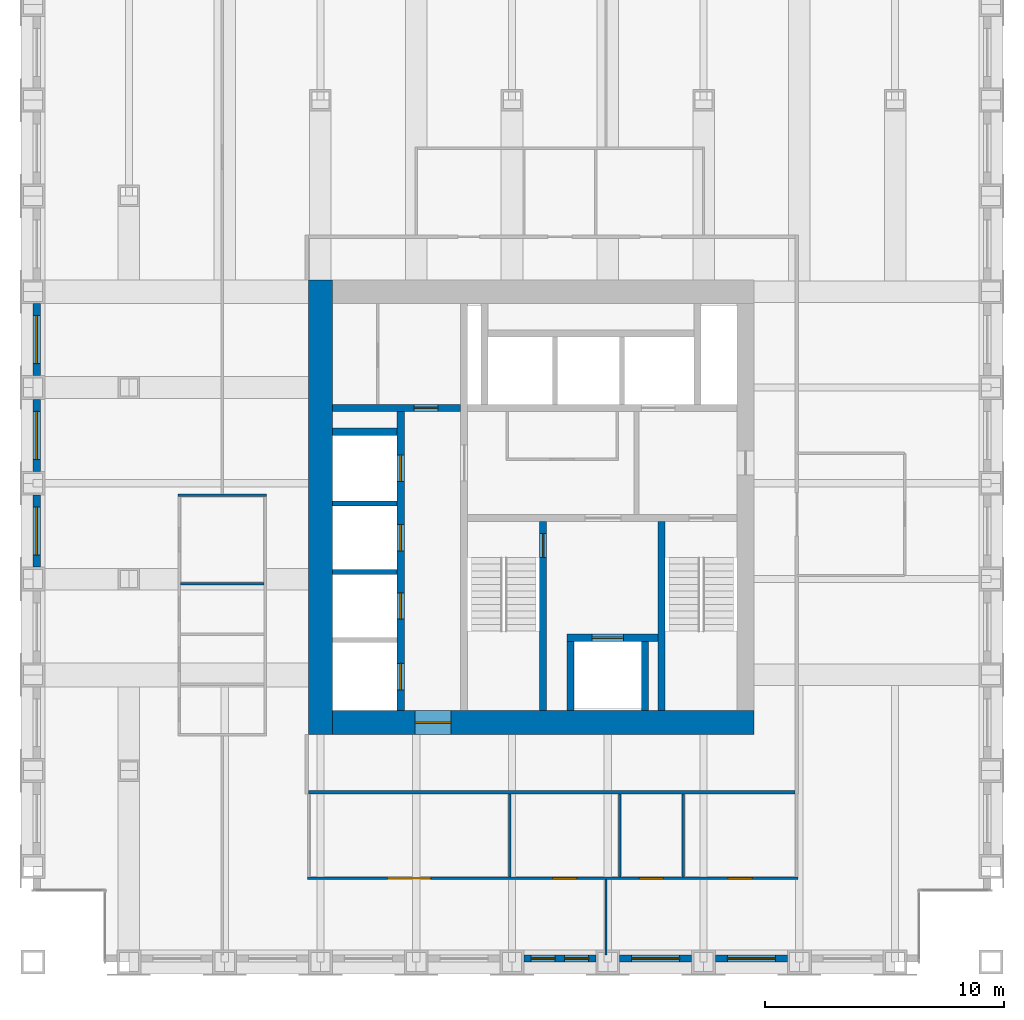
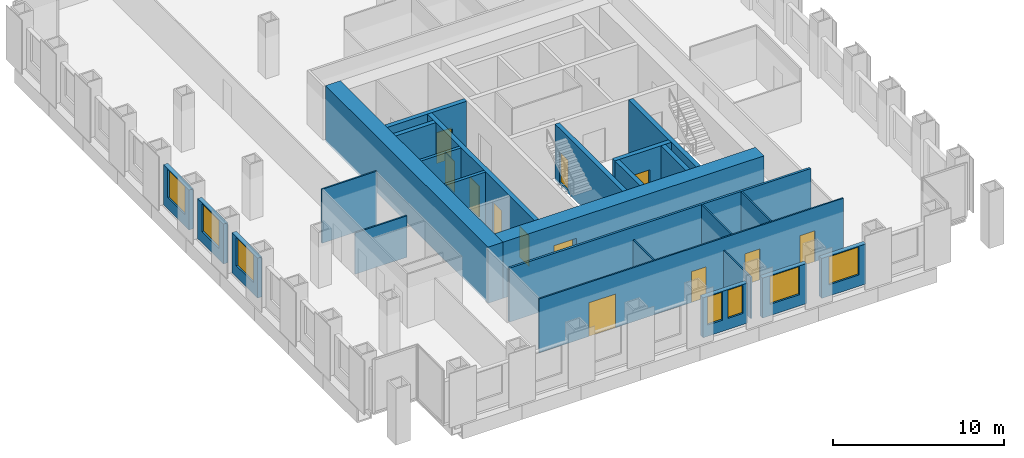
# One storey, part 9 of 13: 26 walls, 12 doors, 7 windows, 19 openings.
"""IFC4 building model written with IfcOpenShell, lengths in metres."""

from ifc_helpers import new_model, si_unit, direction, frame, frame_2d, origin, place, context, subcontext, project, spatial, rectangle, extrude, material, layer, layer_set, type_object, element, fill, save


model = new_model("IFC4")

# Units and contexts
model_context = context("Model", 3, precision=1e-05, world=origin(), true_north=direction((0.0, 1.0)))
body_context = subcontext(model_context, "Body", "Model", "MODEL_VIEW")
ifc_project = project(units=[si_unit("LENGTHUNIT", "METRE"), si_unit("AREAUNIT", "SQUARE_METRE"), si_unit("VOLUMEUNIT", "CUBIC_METRE"), si_unit("PLANEANGLEUNIT", "RADIAN"), si_unit("MASSUNIT", "GRAM", prefix="KILO")], contexts=[model_context])

# Site, building, storey
site_placement = place(None, origin())
site = spatial("IfcSite", under=ifc_project, at=site_placement, CompositionType="ELEMENT")
building_placement = place(site_placement, origin())
building = spatial("IfcBuilding", under=site, at=building_placement, Name="Rimbunsela Tower", CompositionType="ELEMENT")
storey_placement = place(building_placement, frame((0.0, 0.0, 187.800048828125)))
storey = spatial("IfcBuildingStorey", under=building, at=storey_placement, Name="L45", CompositionType="ELEMENT", Elevation=187.800048828125)

# Wall, opening, door
ifc_material_1 = material(Name="Concrete fc' 80 MPa", Category="concrete")
ifc_layer_1 = layer(ifc_material_1, 0.300048828125)
ifc_layer_set_1 = layer_set([ifc_layer_1], Name="Core internal wall 300")
wall_type_1 = type_object("IfcWallType", Name="Core internal wall 300", PredefinedType="SHEAR", material=ifc_layer_set_1)
wall_1_placement = place(storey_placement, frame((27.300048828125, 18.5, -0.150146484375), z_axis=(0.0, 0.0, 1.0), x_axis=(0.0, 1.0, 0.0)))
wall_1 = element("IfcWall", 1, at=wall_1_placement, inside=storey, type_object=wall_type_1, Name="Stair A enclosure", PredefinedType="SHEAR", context=body_context, shape_type="SweptSolid", body=[
    extrude(rectangle(XDim=7.89990234375, YDim=0.300048828125, at=frame_2d((3.949951171875, 0.0))), origin(), (0.0, 0.0, 1.0), 4.0),
])
opening_1_placement = place(wall_1_placement, frame((6.39990234375, 0.0, 0.14990234375)))
opening_1 = element("IfcOpeningElement", 2, at=opening_1_placement, cuts=wall_1, Name="Opening D01", PredefinedType="OPENING", context=body_context, shape_type="SweptSolid", body=[
    extrude(rectangle(XDim=1.0, YDim=2.199951171875, at=frame_2d((0.5, 1.10009765625))), frame((0.0, 0.159912109375, 0.0), z_axis=(0.0, -1.0, 0.0), x_axis=(1.0, 0.0, 0.0)), (0.0, 0.0, 1.0), 0.320068359375),
])
ifc_material_2 = material(Name="Steel door, fire rated", Category="steel")
door_type_1 = type_object("IfcDoorType", Name="Stair door 1000", OperationType="SINGLE_SWING_RIGHT", PredefinedType="DOOR", material=ifc_material_2)
door_1_placement = place(opening_1_placement, origin())
door_1 = element("IfcDoor", 3, at=door_1_placement, inside=storey, type_object=door_type_1, Name="Stair A door", OperationType="SINGLE_SWING_RIGHT", OverallHeight=2.199951171875, OverallWidth=1.0, PredefinedType="DOOR", context=body_context, shape_type="SweptSolid", body=[
    extrude(rectangle(XDim=1.0, YDim=2.199951171875, at=frame_2d((0.5, 1.10009765625))), frame((0.0, 0.02490234375, 0.0), z_axis=(0.0, -1.0, 0.0), x_axis=(1.0, 0.0, 0.0)), (0.0, 0.0, 1.0), 0.050048828125),
])
fill(opening_1, door_1)

# Walls
wall_2_placement = place(storey_placement, frame((32.25, 18.5, -0.150146484375), z_axis=(0.0, 0.0, 1.0), x_axis=(0.0, 1.0, 0.0)))
element("IfcWall", 4, at=wall_2_placement, inside=storey, type_object=wall_type_1, Name="Stair B enclosure", PredefinedType="SHEAR", context=body_context, shape_type="SweptSolid", body=[
    extrude(rectangle(XDim=7.89990234375, YDim=0.300048828125, at=frame_2d((3.949951171875, 0.0))), origin(), (0.0, 0.0, 1.0), 4.0),
])
for number, where, z_axis, x_axis, name in (
    (5, (28.449951171875, 18.5, -0.150146484375), (0.0, 0.0, 1.0), (0.0, 1.0, 0.0), "Firefighting lift shaft west"),
    (6, (31.550048828125, 18.5, -0.150146484375), (0.0, 0.0, 1.0), (0.0, 1.0, 0.0), "Firefighting lift shaft east"),
):
    element("IfcWall", number, at=place(storey_placement, frame(where, z_axis=z_axis, x_axis=x_axis)), inside=storey, type_object=wall_type_1, Name=name, PredefinedType="SHEAR", context=body_context, shape_type="SweptSolid", body=[
        extrude(rectangle(XDim=2.89990234375, YDim=0.300048828125, at=frame_2d((1.449951171875, 0.0))), origin(), (0.0, 0.0, 1.0), 4.0),
    ])

# Wall, opening, door
wall_3_placement = place(storey_placement, frame((28.300048828125, 21.550048828125, -0.150146484375), z_axis=(0.0, 0.0, 1.0), x_axis=(1.0, 0.0, 0.0)))
wall_3 = element("IfcWall", 7, at=wall_3_placement, inside=storey, type_object=wall_type_1, Name="Firefighting lift shaft front", PredefinedType="SHEAR", context=body_context, shape_type="SweptSolid", body=[
    extrude(rectangle(XDim=3.800048828125, YDim=0.300048828125, at=frame_2d((1.89990234375, 0.0))), origin(), (0.0, 0.0, 1.0), 4.0),
])
opening_2_placement = place(wall_3_placement, frame((1.050048828125, 0.0, 0.14990234375)))
opening_2 = element("IfcOpeningElement", 8, at=opening_2_placement, cuts=wall_3, Name="Opening LD2", PredefinedType="OPENING", context=body_context, shape_type="SweptSolid", body=[
    extrude(rectangle(XDim=1.300048828125, YDim=2.39990234375, at=frame_2d((0.64990234375, 1.199951171875))), frame((0.0, 0.159912109375, 0.0), z_axis=(0.0, -1.0, 0.0), x_axis=(1.0, 0.0, 0.0)), (0.0, 0.0, 1.0), 0.320068359375),
])
ifc_material_3 = material(Name="Steel door, fire rated", Category="steel")
door_type_2 = type_object("IfcDoorType", Name="Lift landing door 1300", OperationType="DOUBLE_DOOR_SLIDING", PredefinedType="DOOR", material=ifc_material_3)
door_2_placement = place(opening_2_placement, origin())
door_2 = element("IfcDoor", 9, at=door_2_placement, inside=storey, type_object=door_type_2, Name="Lift landing door FL1", OperationType="DOUBLE_DOOR_SLIDING", OverallHeight=2.39990234375, OverallWidth=1.300048828125, PredefinedType="DOOR", context=body_context, shape_type="SweptSolid", body=[
    extrude(rectangle(XDim=1.300048828125, YDim=2.39990234375, at=frame_2d((0.64990234375, 1.199951171875))), frame((0.0, 0.02490234375, 0.0), z_axis=(0.0, -1.0, 0.0), x_axis=(1.0, 0.0, 0.0)), (0.0, 0.0, 1.0), 0.050048828125),
])
fill(opening_2, door_2)

# Wall, openings, doors
wall_4_placement = place(storey_placement, frame((21.35009765625, 18.5, -0.150146484375), z_axis=(0.0, 0.0, 1.0), x_axis=(0.0, 1.0, 0.0)))
wall_4 = element("IfcWall", 10, at=wall_4_placement, inside=storey, type_object=wall_type_1, Name="Lift shaft front west", PredefinedType="SHEAR", context=body_context, shape_type="SweptSolid", body=[
    extrude(rectangle(XDim=12.5, YDim=0.300048828125, at=frame_2d((6.25, 0.0))), origin(), (0.0, 0.0, 1.0), 4.0),
])
opening_3_placement = place(wall_4_placement, frame((0.875, 0.0, 0.14990234375)))
opening_3 = element("IfcOpeningElement", 11, at=opening_3_placement, cuts=wall_4, Name="Opening LD1", PredefinedType="OPENING", context=body_context, shape_type="SweptSolid", body=[
    extrude(rectangle(XDim=1.10009765625, YDim=2.199951171875, at=frame_2d((0.550048828125, 1.10009765625))), frame((0.0, 0.159912109375, 0.0), z_axis=(0.0, -1.0, 0.0), x_axis=(1.0, 0.0, 0.0)), (0.0, 0.0, 1.0), 0.320068359375),
])
opening_4_placement = place(wall_4_placement, frame((3.824951171875, 0.0, 0.14990234375)))
opening_4 = element("IfcOpeningElement", 12, at=opening_4_placement, cuts=wall_4, Name="Opening LD1", PredefinedType="OPENING", context=body_context, shape_type="SweptSolid", body=[
    extrude(rectangle(XDim=1.10009765625, YDim=2.199951171875, at=frame_2d((0.550048828125, 1.10009765625))), frame((0.0, 0.159912109375, 0.0), z_axis=(0.0, -1.0, 0.0), x_axis=(1.0, 0.0, 0.0)), (0.0, 0.0, 1.0), 0.320068359375),
])
opening_5_placement = place(wall_4_placement, frame((6.675048828125, 0.0, 0.14990234375)))
opening_5 = element("IfcOpeningElement", 13, at=opening_5_placement, cuts=wall_4, Name="Opening LD1", PredefinedType="OPENING", context=body_context, shape_type="SweptSolid", body=[
    extrude(rectangle(XDim=1.10009765625, YDim=2.199951171875, at=frame_2d((0.550048828125, 1.10009765625))), frame((0.0, 0.159912109375, 0.0), z_axis=(0.0, -1.0, 0.0), x_axis=(1.0, 0.0, 0.0)), (0.0, 0.0, 1.0), 0.320068359375),
])
opening_6_placement = place(wall_4_placement, frame((9.574951171875, 0.0, 0.14990234375)))
opening_6 = element("IfcOpeningElement", 14, at=opening_6_placement, cuts=wall_4, Name="Opening LD1", PredefinedType="OPENING", context=body_context, shape_type="SweptSolid", body=[
    extrude(rectangle(XDim=1.10009765625, YDim=2.199951171875, at=frame_2d((0.550048828125, 1.10009765625))), frame((0.0, 0.159912109375, 0.0), z_axis=(0.0, -1.0, 0.0), x_axis=(1.0, 0.0, 0.0)), (0.0, 0.0, 1.0), 0.320068359375),
])
ifc_material_4 = material(Name="Steel door, fire rated", Category="steel")
door_type_3 = type_object("IfcDoorType", Name="Lift landing door 1100", OperationType="DOUBLE_DOOR_SLIDING", PredefinedType="DOOR", material=ifc_material_4)
door_3_placement = place(opening_3_placement, origin())
door_3 = element("IfcDoor", 15, at=door_3_placement, inside=storey, type_object=door_type_3, Name="Lift landing door HL1", OperationType="DOUBLE_DOOR_SLIDING", OverallHeight=2.199951171875, OverallWidth=1.10009765625, PredefinedType="DOOR", context=body_context, shape_type="SweptSolid", body=[
    extrude(rectangle(XDim=1.10009765625, YDim=2.199951171875, at=frame_2d((0.550048828125, 1.10009765625))), frame((0.0, 0.02490234375, 0.0), z_axis=(0.0, -1.0, 0.0), x_axis=(1.0, 0.0, 0.0)), (0.0, 0.0, 1.0), 0.050048828125),
])
fill(opening_3, door_3)
door_4_placement = place(opening_4_placement, origin())
door_4 = element("IfcDoor", 16, at=door_4_placement, inside=storey, type_object=door_type_3, Name="Lift landing door HL2", OperationType="DOUBLE_DOOR_SLIDING", OverallHeight=2.199951171875, OverallWidth=1.10009765625, PredefinedType="DOOR", context=body_context, shape_type="SweptSolid", body=[
    extrude(rectangle(XDim=1.10009765625, YDim=2.199951171875, at=frame_2d((0.550048828125, 1.10009765625))), frame((0.0, 0.02490234375, 0.0), z_axis=(0.0, -1.0, 0.0), x_axis=(1.0, 0.0, 0.0)), (0.0, 0.0, 1.0), 0.050048828125),
])
fill(opening_4, door_4)
door_5_placement = place(opening_5_placement, origin())
door_5 = element("IfcDoor", 17, at=door_5_placement, inside=storey, type_object=door_type_3, Name="Lift landing door HL3", OperationType="DOUBLE_DOOR_SLIDING", OverallHeight=2.199951171875, OverallWidth=1.10009765625, PredefinedType="DOOR", context=body_context, shape_type="SweptSolid", body=[
    extrude(rectangle(XDim=1.10009765625, YDim=2.199951171875, at=frame_2d((0.550048828125, 1.10009765625))), frame((0.0, 0.02490234375, 0.0), z_axis=(0.0, -1.0, 0.0), x_axis=(1.0, 0.0, 0.0)), (0.0, 0.0, 1.0), 0.050048828125),
])
fill(opening_5, door_5)
door_6_placement = place(opening_6_placement, origin())
door_6 = element("IfcDoor", 18, at=door_6_placement, inside=storey, type_object=door_type_3, Name="Lift landing door HL4", OperationType="DOUBLE_DOOR_SLIDING", OverallHeight=2.199951171875, OverallWidth=1.10009765625, PredefinedType="DOOR", context=body_context, shape_type="SweptSolid", body=[
    extrude(rectangle(XDim=1.10009765625, YDim=2.199951171875, at=frame_2d((0.550048828125, 1.10009765625))), frame((0.0, 0.02490234375, 0.0), z_axis=(0.0, -1.0, 0.0), x_axis=(1.0, 0.0, 0.0)), (0.0, 0.0, 1.0), 0.050048828125),
])
fill(opening_6, door_6)

# Wall, opening, door
wall_5_placement = place(storey_placement, frame((18.5, 31.14990234375, -0.150146484375), z_axis=(0.0, 0.0, 1.0), x_axis=(1.0, 0.0, 0.0)))
wall_5 = element("IfcWall", 19, at=wall_5_placement, inside=storey, type_object=wall_type_1, Name="Store wall", PredefinedType="SHEAR", context=body_context, shape_type="SweptSolid", body=[
    extrude(rectangle(XDim=5.35009765625, YDim=0.300048828125, at=frame_2d((2.675048828125, 0.0))), origin(), (0.0, 0.0, 1.0), 4.0),
])
opening_7_placement = place(wall_5_placement, frame((3.39990234375, 0.0, 0.14990234375)))
opening_7 = element("IfcOpeningElement", 20, at=opening_7_placement, cuts=wall_5, Name="Opening D19", PredefinedType="OPENING", context=body_context, shape_type="SweptSolid", body=[
    extrude(rectangle(XDim=1.0, YDim=2.199951171875, at=frame_2d((0.5, 1.10009765625))), frame((0.0, 0.159912109375, 0.0), z_axis=(0.0, -1.0, 0.0), x_axis=(1.0, 0.0, 0.0)), (0.0, 0.0, 1.0), 0.320068359375),
])
ifc_material_5 = material(Name="Steel door, fire rated", Category="steel")
door_type_4 = type_object("IfcDoorType", Name="Service door 1000 fire rated", OperationType="SINGLE_SWING_LEFT", PredefinedType="DOOR", material=ifc_material_5)
door_7_placement = place(opening_7_placement, origin())
door_7 = element("IfcDoor", 21, at=door_7_placement, inside=storey, type_object=door_type_4, Name="Facilities store door", OperationType="SINGLE_SWING_LEFT", OverallHeight=2.199951171875, OverallWidth=1.0, PredefinedType="DOOR", context=body_context, shape_type="SweptSolid", body=[
    extrude(rectangle(XDim=1.0, YDim=2.199951171875, at=frame_2d((0.5, 1.10009765625))), frame((0.0, 0.02490234375, 0.0), z_axis=(0.0, -1.0, 0.0), x_axis=(1.0, 0.0, 0.0)), (0.0, 0.0, 1.0), 0.050048828125),
])
fill(opening_7, door_7)

# Walls
wall_6_placement = place(storey_placement, frame((18.5, 30.14990234375, -0.150146484375), z_axis=(0.0, 0.0, 1.0), x_axis=(1.0, 0.0, 0.0)))
element("IfcWall", 22, at=wall_6_placement, inside=storey, type_object=wall_type_1, Name="Lift shaft rear west", PredefinedType="SHEAR", context=body_context, shape_type="SweptSolid", body=[
    extrude(rectangle(XDim=2.699951171875, YDim=0.300048828125, at=frame_2d((1.35009765625, 0.0))), origin(), (0.0, 0.0, 1.0), 4.0),
])
ifc_material_6 = material(Name="Concrete fc' 80 MPa", Category="concrete")
ifc_layer_2 = layer(ifc_material_6, 1.0)
ifc_layer_set_2 = layer_set([ifc_layer_2], Name="Core wall 1000")
wall_type_2 = type_object("IfcWallType", Name="Core wall 1000", PredefinedType="SHEAR", material=ifc_layer_set_2)
wall_7_placement = place(storey_placement, frame((18.0, 17.5, -0.150146484375), z_axis=(0.0, 0.0, 1.0), x_axis=(0.0, 1.0, 0.0)))
element("IfcWall", 23, at=wall_7_placement, inside=storey, type_object=wall_type_2, Name="Core wall west", PredefinedType="SHEAR", context=body_context, shape_type="SweptSolid", body=[
    extrude(rectangle(XDim=19.0, YDim=1.0, at=frame_2d((9.5, 0.0))), origin(), (0.0, 0.0, 1.0), 4.0),
])

# Wall, opening, door
wall_8_placement = place(storey_placement, frame((18.5, 18.0, -0.150146484375), z_axis=(0.0, 0.0, 1.0), x_axis=(1.0, 0.0, 0.0)))
wall_8 = element("IfcWall", 24, at=wall_8_placement, inside=storey, type_object=wall_type_2, Name="Core wall south", PredefinedType="SHEAR", context=body_context, shape_type="SweptSolid", body=[
    extrude(rectangle(XDim=17.60009765625, YDim=1.0, at=frame_2d((8.800048828125, 0.0))), origin(), (0.0, 0.0, 1.0), 4.0),
])
opening_8_placement = place(wall_8_placement, frame((3.449951171875, 0.0, 0.14990234375)))
opening_8 = element("IfcOpeningElement", 25, at=opening_8_placement, cuts=wall_8, Name="Opening D03", PredefinedType="OPENING", context=body_context, shape_type="SweptSolid", body=[
    extrude(rectangle(XDim=1.5, YDim=2.39990234375, at=frame_2d((0.75, 1.199951171875))), frame((0.0, 0.510009765625, 0.0), z_axis=(0.0, -1.0, 0.0), x_axis=(1.0, 0.0, 0.0)), (0.0, 0.0, 1.0), 1.02001953125),
])
ifc_material_7 = material(Name="Steel door, fire rated", Category="steel")
door_type_5 = type_object("IfcDoorType", Name="Core lobby door 1500", OperationType="DOUBLE_DOOR_DOUBLE_SWING", PredefinedType="DOOR", material=ifc_material_7)
door_8_placement = place(opening_8_placement, origin())
door_8 = element("IfcDoor", 26, at=door_8_placement, inside=storey, type_object=door_type_5, Name="Core door south", OperationType="DOUBLE_DOOR_DOUBLE_SWING", OverallHeight=2.39990234375, OverallWidth=1.5, PredefinedType="DOOR", context=body_context, shape_type="SweptSolid", body=[
    extrude(rectangle(XDim=1.5, YDim=2.39990234375, at=frame_2d((0.75, 1.199951171875))), frame((0.0, 0.02490234375, 0.0), z_axis=(0.0, -1.0, 0.0), x_axis=(1.0, 0.0, 0.0)), (0.0, 0.0, 1.0), 0.050048828125),
])
fill(opening_8, door_8)

# Walls
ifc_material_8 = material(Name="Concrete blockwork", Category="masonry")
ifc_layer_3 = layer(ifc_material_8, 0.199951171875)
ifc_layer_set_3 = layer_set([ifc_layer_3], Name="Lift shaft wall 200")
wall_type_3 = type_object("IfcWallType", Name="Lift shaft wall 200", PredefinedType="SOLIDWALL", material=ifc_layer_set_3)
for number, where, z_axis, x_axis, name in (
    (27, (18.5, 24.300048828125, -0.150146484375), (0.0, 0.0, 1.0), (1.0, 0.0, 0.0), "Lift shaft separation"),
    (28, (18.5, 27.14990234375, -0.150146484375), (0.0, 0.0, 1.0), (1.0, 0.0, 0.0), "Lift shaft separation"),
):
    element("IfcWall", number, at=place(storey_placement, frame(where, z_axis=z_axis, x_axis=x_axis)), inside=storey, type_object=wall_type_3, Name=name, PredefinedType="SOLIDWALL", context=body_context, shape_type="SweptSolid", body=[
        extrude(rectangle(XDim=2.699951171875, YDim=0.199951171875, at=frame_2d((1.35009765625, 0.0))), origin(), (0.0, 0.0, 1.0), 4.0),
    ])

# Wall, openings, doors
ifc_material_9 = material(Name="Gypsum board on steel studs", Category="steel")
ifc_layer_4 = layer(ifc_material_9, 0.10009765625)
ifc_layer_set_4 = layer_set([ifc_layer_4], Name="Office partition 100")
wall_type_4 = type_object("IfcWallType", Name="Office partition 100", PredefinedType="PARTITIONING", material=ifc_layer_set_4)
wall_9_placement = place(storey_placement, frame((17.449951171875, 11.5, 0.0), z_axis=(0.0, 0.0, 1.0), x_axis=(1.0, 0.0, 0.0)))
wall_9 = element("IfcWall", 29, at=wall_9_placement, inside=storey, type_object=wall_type_4, Name="Office partition", PredefinedType="PARTITIONING", context=body_context, shape_type="SweptSolid", body=[
    extrude(rectangle(XDim=20.5, YDim=0.10009765625, at=frame_2d((10.25, 0.0))), origin(), (0.0, 0.0, 1.0), 3.849853515625),
])
opening_9_placement = place(wall_9_placement, frame((3.35009765625, 0.0, 0.0)))
opening_9 = element("IfcOpeningElement", 30, at=opening_9_placement, cuts=wall_9, Name="Opening D18", PredefinedType="OPENING", context=body_context, shape_type="SweptSolid", body=[
    extrude(rectangle(XDim=1.800048828125, YDim=2.39990234375, at=frame_2d((0.89990234375, 1.199951171875))), frame((0.0, 0.06005859375, 0.0), z_axis=(0.0, -1.0, 0.0), x_axis=(1.0, 0.0, 0.0)), (0.0, 0.0, 1.0), 0.1201171875),
])
opening_10_placement = place(wall_9_placement, frame((10.25, 0.0, 0.0)))
opening_10 = element("IfcOpeningElement", 31, at=opening_10_placement, cuts=wall_9, Name="Opening D16", PredefinedType="OPENING", context=body_context, shape_type="SweptSolid", body=[
    extrude(rectangle(XDim=1.0, YDim=2.199951171875, at=frame_2d((0.5, 1.10009765625))), frame((0.0, 0.06005859375, 0.0), z_axis=(0.0, -1.0, 0.0), x_axis=(1.0, 0.0, 0.0)), (0.0, 0.0, 1.0), 0.1201171875),
])
opening_11_placement = place(wall_9_placement, frame((13.875, 0.0, 0.0)))
opening_11 = element("IfcOpeningElement", 32, at=opening_11_placement, cuts=wall_9, Name="Opening D16", PredefinedType="OPENING", context=body_context, shape_type="SweptSolid", body=[
    extrude(rectangle(XDim=1.0, YDim=2.199951171875, at=frame_2d((0.5, 1.10009765625))), frame((0.0, 0.06005859375, 0.0), z_axis=(0.0, -1.0, 0.0), x_axis=(1.0, 0.0, 0.0)), (0.0, 0.0, 1.0), 0.1201171875),
])
opening_12_placement = place(wall_9_placement, frame((17.574951171875, 0.0, 0.0)))
opening_12 = element("IfcOpeningElement", 33, at=opening_12_placement, cuts=wall_9, Name="Opening D16", PredefinedType="OPENING", context=body_context, shape_type="SweptSolid", body=[
    extrude(rectangle(XDim=1.0, YDim=2.199951171875, at=frame_2d((0.5, 1.10009765625))), frame((0.0, 0.06005859375, 0.0), z_axis=(0.0, -1.0, 0.0), x_axis=(1.0, 0.0, 0.0)), (0.0, 0.0, 1.0), 0.1201171875),
])
ifc_material_10 = material(Name="Glazed aluminium door", Category="aluminium")
door_type_6 = type_object("IfcDoorType", Name="Boardroom door 1800 glazed", OperationType="DOUBLE_DOOR_DOUBLE_SWING", PredefinedType="DOOR", material=ifc_material_10)
door_9_placement = place(opening_9_placement, origin())
door_9 = element("IfcDoor", 34, at=door_9_placement, inside=storey, type_object=door_type_6, Name="Boardroom door", OperationType="DOUBLE_DOOR_DOUBLE_SWING", OverallHeight=2.39990234375, OverallWidth=1.800048828125, PredefinedType="DOOR", context=body_context, shape_type="SweptSolid", body=[
    extrude(rectangle(XDim=1.800048828125, YDim=2.39990234375, at=frame_2d((0.89990234375, 1.199951171875))), frame((0.0, 0.02490234375, 0.0), z_axis=(0.0, -1.0, 0.0), x_axis=(1.0, 0.0, 0.0)), (0.0, 0.0, 1.0), 0.050048828125),
])
fill(opening_9, door_9)
ifc_material_11 = material(Name="Timber door", Category="wood")
door_type_7 = type_object("IfcDoorType", Name="Office door 1000", OperationType="SINGLE_SWING_LEFT", PredefinedType="DOOR", material=ifc_material_11)
door_10_placement = place(opening_10_placement, origin())
door_10 = element("IfcDoor", 35, at=door_10_placement, inside=storey, type_object=door_type_7, Name="Office door", OperationType="SINGLE_SWING_LEFT", OverallHeight=2.199951171875, OverallWidth=1.0, PredefinedType="DOOR", context=body_context, shape_type="SweptSolid", body=[
    extrude(rectangle(XDim=1.0, YDim=2.199951171875, at=frame_2d((0.5, 1.10009765625))), frame((0.0, 0.02490234375, 0.0), z_axis=(0.0, -1.0, 0.0), x_axis=(1.0, 0.0, 0.0)), (0.0, 0.0, 1.0), 0.050048828125),
])
fill(opening_10, door_10)
door_11_placement = place(opening_11_placement, origin())
door_11 = element("IfcDoor", 36, at=door_11_placement, inside=storey, type_object=door_type_7, Name="Office door", OperationType="SINGLE_SWING_LEFT", OverallHeight=2.199951171875, OverallWidth=1.0, PredefinedType="DOOR", context=body_context, shape_type="SweptSolid", body=[
    extrude(rectangle(XDim=1.0, YDim=2.199951171875, at=frame_2d((0.5, 1.10009765625))), frame((0.0, 0.02490234375, 0.0), z_axis=(0.0, -1.0, 0.0), x_axis=(1.0, 0.0, 0.0)), (0.0, 0.0, 1.0), 0.050048828125),
])
fill(opening_11, door_11)
door_12_placement = place(opening_12_placement, origin())
door_12 = element("IfcDoor", 37, at=door_12_placement, inside=storey, type_object=door_type_7, Name="Office door", OperationType="SINGLE_SWING_LEFT", OverallHeight=2.199951171875, OverallWidth=1.0, PredefinedType="DOOR", context=body_context, shape_type="SweptSolid", body=[
    extrude(rectangle(XDim=1.0, YDim=2.199951171875, at=frame_2d((0.5, 1.10009765625))), frame((0.0, 0.02490234375, 0.0), z_axis=(0.0, -1.0, 0.0), x_axis=(1.0, 0.0, 0.0)), (0.0, 0.0, 1.0), 0.050048828125),
])
fill(opening_12, door_12)

# Walls
wall_10_placement = place(storey_placement, frame((12.14990234375, 23.800048828125, 0.0), z_axis=(0.0, 0.0, 1.0), x_axis=(1.0, 0.0, 0.0)))
element("IfcWall", 38, at=wall_10_placement, inside=storey, type_object=wall_type_4, Name="Office partition", PredefinedType="PARTITIONING", context=body_context, shape_type="SweptSolid", body=[
    extrude(rectangle(XDim=3.5, YDim=0.10009765625, at=frame_2d((1.75, 0.0))), origin(), (0.0, 0.0, 1.0), 2.949951171875),
])
wall_11_placement = place(storey_placement, frame((12.050048828125, 27.5, 0.0), z_axis=(0.0, 0.0, 1.0), x_axis=(1.0, 0.0, 0.0)))
element("IfcWall", 39, at=wall_11_placement, inside=storey, type_object=wall_type_4, Name="Office partition", PredefinedType="PARTITIONING", context=body_context, shape_type="SweptSolid", body=[
    extrude(rectangle(XDim=3.699951171875, YDim=0.10009765625, at=frame_2d((1.85009765625, 0.0))), origin(), (0.0, 0.0, 1.0), 3.849853515625),
])
wall_12_placement = place(storey_placement, frame((25.89990234375, 11.550048828125, 0.0), z_axis=(0.0, 0.0, 1.0), x_axis=(0.0, 1.0, 0.0)))
element("IfcWall", 40, at=wall_12_placement, inside=storey, type_object=wall_type_4, Name="Office partition", PredefinedType="PARTITIONING", context=body_context, shape_type="SweptSolid", body=[
    extrude(rectangle(XDim=3.474853515625, YDim=0.10009765625, at=frame_2d((1.7373046875, 0.0))), origin(), (0.0, 0.0, 1.0), 2.949951171875),
])
for number, where, z_axis, x_axis, name in (
    (41, (30.5, 11.550048828125, 0.0), (0.0, 0.0, 1.0), (0.0, 1.0, 0.0), "Office partition"),
    (42, (33.14990234375, 11.550048828125, 0.0), (0.0, 0.0, 1.0), (0.0, 1.0, 0.0), "Office partition"),
):
    element("IfcWall", number, at=place(storey_placement, frame(where, z_axis=z_axis, x_axis=x_axis)), inside=storey, type_object=wall_type_4, Name=name, PredefinedType="PARTITIONING", context=body_context, shape_type="SweptSolid", body=[
        extrude(rectangle(XDim=3.474853515625, YDim=0.10009765625, at=frame_2d((1.7373046875, 0.0))), origin(), (0.0, 0.0, 1.0), 3.849853515625),
    ])
wall_13_placement = place(storey_placement, frame((29.925048828125, 11.449951171875, 0.0), z_axis=(0.0, 0.0, 1.0), x_axis=(0.0, -1.0, 0.0)))
element("IfcWall", 43, at=wall_13_placement, inside=storey, type_object=wall_type_4, Name="Office partition", PredefinedType="PARTITIONING", context=body_context, shape_type="SweptSolid", body=[
    extrude(rectangle(XDim=3.14990234375, YDim=0.10009765625, at=frame_2d((1.574951171875, 0.0))), origin(), (0.0, 0.0, 1.0), 2.949951171875),
])

# Wall, openings, windows
ifc_material_12 = material(Name="Precast concrete fc' 35 MPa", Category="concrete")
ifc_layer_5 = layer(ifc_material_12, 0.300048828125)
ifc_layer_set_5 = layer_set([ifc_layer_5], Name="Precast concrete fc' 35 MPa")
wall_type_5 = type_object("IfcWallType", Name="Precast facade panel 300", PredefinedType="ELEMENTEDWALL", material=ifc_layer_set_5)
wall_14_placement = place(storey_placement, frame((26.5, 8.14990234375, 0.0), z_axis=(0.0, 0.0, 1.0), x_axis=(1.0, 0.0, 0.0)))
wall_14 = element("IfcWall", 44, at=wall_14_placement, inside=storey, type_object=wall_type_5, Name="Facade panel S L45", PredefinedType="ELEMENTEDWALL", context=body_context, shape_type="SweptSolid", body=[
    extrude(rectangle(XDim=3.0, YDim=0.300048828125, at=frame_2d((1.5, 0.0))), origin(), (0.0, 0.0, 1.0), 2.849853515625),
])
opening_13_placement = place(wall_14_placement, frame((0.300048828125, 0.0, 0.800048828125)))
opening_13 = element("IfcOpeningElement", 45, at=opening_13_placement, cuts=wall_14, Name="Opening W5", PredefinedType="OPENING", context=body_context, shape_type="SweptSolid", body=[
    extrude(rectangle(XDim=1.0, YDim=2.0, at=frame_2d((0.5, 1.0))), frame((0.0, 0.159912109375, 0.0), z_axis=(0.0, -1.0, 0.0), x_axis=(1.0, 0.0, 0.0)), (0.0, 0.0, 1.0), 0.320068359375),
])
opening_14_placement = place(wall_14_placement, frame((1.699951171875, 0.0, 0.800048828125)))
opening_14 = element("IfcOpeningElement", 46, at=opening_14_placement, cuts=wall_14, Name="Opening W5", PredefinedType="OPENING", context=body_context, shape_type="SweptSolid", body=[
    extrude(rectangle(XDim=1.0, YDim=2.0, at=frame_2d((0.5, 1.0))), frame((0.0, 0.159912109375, 0.0), z_axis=(0.0, -1.0, 0.0), x_axis=(1.0, 0.0, 0.0)), (0.0, 0.0, 1.0), 0.320068359375),
])
ifc_material_13 = material(Name="Clear glass in aluminium frame", Category="aluminium")
window_type_1 = type_object("IfcWindowType", Name="Window W5 1000x2000", PartitioningType="SINGLE_PANEL", PredefinedType="WINDOW", material=ifc_material_13)
window_1_placement = place(opening_13_placement, origin())
window_1 = element("IfcWindow", 47, at=window_1_placement, inside=storey, type_object=window_type_1, Name="Window L45", OverallHeight=2.0, OverallWidth=1.0, PartitioningType="SINGLE_PANEL", PredefinedType="WINDOW", context=body_context, shape_type="SweptSolid", body=[
    extrude(rectangle(XDim=1.0, YDim=2.0, at=frame_2d((0.5, 1.0))), frame((0.0, 0.030029296875, 0.0), z_axis=(0.0, -1.0, 0.0), x_axis=(1.0, 0.0, 0.0)), (0.0, 0.0, 1.0), 0.06005859375),
])
fill(opening_13, window_1)
window_2_placement = place(opening_14_placement, origin())
window_2 = element("IfcWindow", 48, at=window_2_placement, inside=storey, type_object=window_type_1, Name="Window L45", OverallHeight=2.0, OverallWidth=1.0, PartitioningType="SINGLE_PANEL", PredefinedType="WINDOW", context=body_context, shape_type="SweptSolid", body=[
    extrude(rectangle(XDim=1.0, YDim=2.0, at=frame_2d((0.5, 1.0))), frame((0.0, 0.030029296875, 0.0), z_axis=(0.0, -1.0, 0.0), x_axis=(1.0, 0.0, 0.0)), (0.0, 0.0, 1.0), 0.06005859375),
])
fill(opening_14, window_2)

# Wall, opening, window
wall_15_placement = place(storey_placement, frame((30.5, 8.14990234375, 0.0), z_axis=(0.0, 0.0, 1.0), x_axis=(1.0, 0.0, 0.0)))
wall_15 = element("IfcWall", 49, at=wall_15_placement, inside=storey, type_object=wall_type_5, Name="Facade panel S L45", PredefinedType="ELEMENTEDWALL", context=body_context, shape_type="SweptSolid", body=[
    extrude(rectangle(XDim=3.0, YDim=0.300048828125, at=frame_2d((1.5, 0.0))), origin(), (0.0, 0.0, 1.0), 2.849853515625),
])
opening_15_placement = place(wall_15_placement, frame((0.5, 0.0, 0.800048828125)))
opening_15 = element("IfcOpeningElement", 50, at=opening_15_placement, cuts=wall_15, Name="Opening W1", PredefinedType="OPENING", context=body_context, shape_type="SweptSolid", body=[
    extrude(rectangle(XDim=2.0, YDim=2.0, at=frame_2d((1.0, 1.0))), frame((0.0, 0.159912109375, 0.0), z_axis=(0.0, -1.0, 0.0), x_axis=(1.0, 0.0, 0.0)), (0.0, 0.0, 1.0), 0.320068359375),
])
ifc_material_14 = material(Name="Clear glass in aluminium frame", Category="aluminium")
window_type_2 = type_object("IfcWindowType", Name="Window W1 2000x2000", PartitioningType="DOUBLE_PANEL_VERTICAL", PredefinedType="WINDOW", material=ifc_material_14)
window_3_placement = place(opening_15_placement, origin())
window_3 = element("IfcWindow", 51, at=window_3_placement, inside=storey, type_object=window_type_2, Name="Window L45", OverallHeight=2.0, OverallWidth=2.0, PartitioningType="SINGLE_PANEL", PredefinedType="WINDOW", context=body_context, shape_type="SweptSolid", body=[
    extrude(rectangle(XDim=2.0, YDim=2.0, at=frame_2d((1.0, 1.0))), frame((0.0, 0.030029296875, 0.0), z_axis=(0.0, -1.0, 0.0), x_axis=(1.0, 0.0, 0.0)), (0.0, 0.0, 1.0), 0.06005859375),
])
fill(opening_15, window_3)

wall_16_placement = place(storey_placement, frame((34.5, 8.14990234375, 0.0), z_axis=(0.0, 0.0, 1.0), x_axis=(1.0, 0.0, 0.0)))
wall_16 = element("IfcWall", 52, at=wall_16_placement, inside=storey, type_object=wall_type_5, Name="Facade panel S L45", PredefinedType="ELEMENTEDWALL", context=body_context, shape_type="SweptSolid", body=[
    extrude(rectangle(XDim=3.0, YDim=0.300048828125, at=frame_2d((1.5, 0.0))), origin(), (0.0, 0.0, 1.0), 2.849853515625),
])
opening_16_placement = place(wall_16_placement, frame((0.5, 0.0, 0.800048828125)))
opening_16 = element("IfcOpeningElement", 53, at=opening_16_placement, cuts=wall_16, Name="Opening W1", PredefinedType="OPENING", context=body_context, shape_type="SweptSolid", body=[
    extrude(rectangle(XDim=2.0, YDim=2.0, at=frame_2d((1.0, 1.0))), frame((0.0, 0.159912109375, 0.0), z_axis=(0.0, -1.0, 0.0), x_axis=(1.0, 0.0, 0.0)), (0.0, 0.0, 1.0), 0.320068359375),
])
window_4_placement = place(opening_16_placement, origin())
window_4 = element("IfcWindow", 54, at=window_4_placement, inside=storey, type_object=window_type_2, Name="Window L45", OverallHeight=2.0, OverallWidth=2.0, PartitioningType="SINGLE_PANEL", PredefinedType="WINDOW", context=body_context, shape_type="SweptSolid", body=[
    extrude(rectangle(XDim=2.0, YDim=2.0, at=frame_2d((1.0, 1.0))), frame((0.0, 0.030029296875, 0.0), z_axis=(0.0, -1.0, 0.0), x_axis=(1.0, 0.0, 0.0)), (0.0, 0.0, 1.0), 0.06005859375),
])
fill(opening_16, window_4)

wall_17_placement = place(storey_placement, frame((6.14990234375, 27.5, 0.0), z_axis=(0.0, 0.0, 1.0), x_axis=(0.0, -1.0, 0.0)))
wall_17 = element("IfcWall", 55, at=wall_17_placement, inside=storey, type_object=wall_type_5, Name="Facade panel W L45", PredefinedType="ELEMENTEDWALL", context=body_context, shape_type="SweptSolid", body=[
    extrude(rectangle(XDim=3.0, YDim=0.300048828125, at=frame_2d((1.5, 0.0))), origin(), (0.0, 0.0, 1.0), 2.849853515625),
])
opening_17_placement = place(wall_17_placement, frame((0.5, 0.0, 0.800048828125)))
opening_17 = element("IfcOpeningElement", 56, at=opening_17_placement, cuts=wall_17, Name="Opening W1", PredefinedType="OPENING", context=body_context, shape_type="SweptSolid", body=[
    extrude(rectangle(XDim=2.0, YDim=2.0, at=frame_2d((1.0, 1.0))), frame((0.0, 0.159912109375, 0.0), z_axis=(0.0, -1.0, 0.0), x_axis=(1.0, 0.0, 0.0)), (0.0, 0.0, 1.0), 0.320068359375),
])
window_5_placement = place(opening_17_placement, origin())
window_5 = element("IfcWindow", 57, at=window_5_placement, inside=storey, type_object=window_type_2, Name="Window L45", OverallHeight=2.0, OverallWidth=2.0, PartitioningType="SINGLE_PANEL", PredefinedType="WINDOW", context=body_context, shape_type="SweptSolid", body=[
    extrude(rectangle(XDim=2.0, YDim=2.0, at=frame_2d((1.0, 1.0))), frame((0.0, 0.030029296875, 0.0), z_axis=(0.0, -1.0, 0.0), x_axis=(1.0, 0.0, 0.0)), (0.0, 0.0, 1.0), 0.06005859375),
])
fill(opening_17, window_5)

wall_18_placement = place(storey_placement, frame((6.14990234375, 31.5, 0.0), z_axis=(0.0, 0.0, 1.0), x_axis=(0.0, -1.0, 0.0)))
wall_18 = element("IfcWall", 58, at=wall_18_placement, inside=storey, type_object=wall_type_5, Name="Facade panel W L45", PredefinedType="ELEMENTEDWALL", context=body_context, shape_type="SweptSolid", body=[
    extrude(rectangle(XDim=3.0, YDim=0.300048828125, at=frame_2d((1.5, 0.0))), origin(), (0.0, 0.0, 1.0), 2.849853515625),
])
opening_18_placement = place(wall_18_placement, frame((0.5, 0.0, 0.800048828125)))
opening_18 = element("IfcOpeningElement", 59, at=opening_18_placement, cuts=wall_18, Name="Opening W1", PredefinedType="OPENING", context=body_context, shape_type="SweptSolid", body=[
    extrude(rectangle(XDim=2.0, YDim=2.0, at=frame_2d((1.0, 1.0))), frame((0.0, 0.159912109375, 0.0), z_axis=(0.0, -1.0, 0.0), x_axis=(1.0, 0.0, 0.0)), (0.0, 0.0, 1.0), 0.320068359375),
])
window_6_placement = place(opening_18_placement, origin())
window_6 = element("IfcWindow", 60, at=window_6_placement, inside=storey, type_object=window_type_2, Name="Window L45", OverallHeight=2.0, OverallWidth=2.0, PartitioningType="SINGLE_PANEL", PredefinedType="WINDOW", context=body_context, shape_type="SweptSolid", body=[
    extrude(rectangle(XDim=2.0, YDim=2.0, at=frame_2d((1.0, 1.0))), frame((0.0, 0.030029296875, 0.0), z_axis=(0.0, -1.0, 0.0), x_axis=(1.0, 0.0, 0.0)), (0.0, 0.0, 1.0), 0.06005859375),
])
fill(opening_18, window_6)

wall_19_placement = place(storey_placement, frame((6.14990234375, 35.5, 0.0), z_axis=(0.0, 0.0, 1.0), x_axis=(0.0, -1.0, 0.0)))
wall_19 = element("IfcWall", 61, at=wall_19_placement, inside=storey, type_object=wall_type_5, Name="Facade panel W L45", PredefinedType="ELEMENTEDWALL", context=body_context, shape_type="SweptSolid", body=[
    extrude(rectangle(XDim=3.0, YDim=0.300048828125, at=frame_2d((1.5, 0.0))), origin(), (0.0, 0.0, 1.0), 2.849853515625),
])
opening_19_placement = place(wall_19_placement, frame((0.5, 0.0, 0.800048828125)))
opening_19 = element("IfcOpeningElement", 62, at=opening_19_placement, cuts=wall_19, Name="Opening W1", PredefinedType="OPENING", context=body_context, shape_type="SweptSolid", body=[
    extrude(rectangle(XDim=2.0, YDim=2.0, at=frame_2d((1.0, 1.0))), frame((0.0, 0.159912109375, 0.0), z_axis=(0.0, -1.0, 0.0), x_axis=(1.0, 0.0, 0.0)), (0.0, 0.0, 1.0), 0.320068359375),
])
window_7_placement = place(opening_19_placement, origin())
window_7 = element("IfcWindow", 63, at=window_7_placement, inside=storey, type_object=window_type_2, Name="Window L45", OverallHeight=2.0, OverallWidth=2.0, PartitioningType="SINGLE_PANEL", PredefinedType="WINDOW", context=body_context, shape_type="SweptSolid", body=[
    extrude(rectangle(XDim=2.0, YDim=2.0, at=frame_2d((1.0, 1.0))), frame((0.0, 0.030029296875, 0.0), z_axis=(0.0, -1.0, 0.0), x_axis=(1.0, 0.0, 0.0)), (0.0, 0.0, 1.0), 0.06005859375),
])
fill(opening_19, window_7)

# Wall
ifc_material_15 = material(Name="Fire-rated gypsum board on steel studs, EI 60", Category="steel")
ifc_layer_6 = layer(ifc_material_15, 0.14990234375)
ifc_layer_set_6 = layer_set([ifc_layer_6], Name="Rated corridor wall 150")
wall_type_6 = type_object("IfcWallType", Name="Rated corridor wall 150", PredefinedType="PARTITIONING", material=ifc_layer_set_6)
wall_20_placement = place(storey_placement, frame((17.5, 15.10009765625, 0.0), z_axis=(0.0, 0.0, 1.0), x_axis=(1.0, 0.0, 0.0)))
element("IfcWall", 64, at=wall_20_placement, inside=storey, type_object=wall_type_6, Name="Corridor wall south", PredefinedType="PARTITIONING", context=body_context, shape_type="SweptSolid", body=[
    extrude(rectangle(XDim=20.324951171875, YDim=0.14990234375, at=frame_2d((10.16259765625, 0.0))), origin(), (0.0, 0.0, 1.0), 3.849853515625),
])

save(model, "model.ifc")
